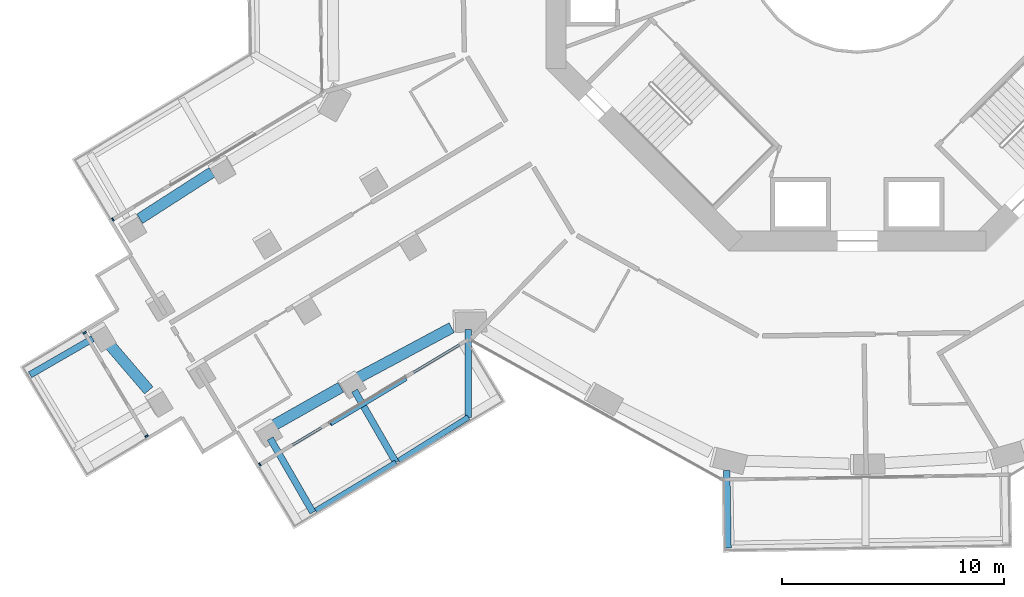
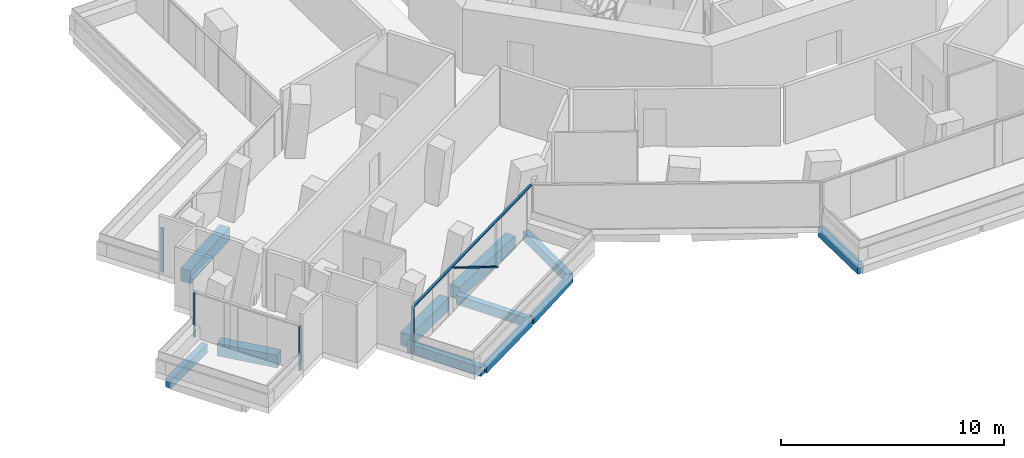
# One storey, part 2 of 25: 11 beams, 6 members, 3 elements without a shape of their own.
"""IFC4 building model written with IfcOpenShell, lengths in metres."""

from ifc_helpers import new_model, si_unit, direction, frame, origin, origin_2d, place, context, subcontext, project, spatial, rectangle, extrude, material, layer, layer_set, material_profile, profile_set, type_object, element, aggregate, save


model = new_model("IFC4")

# Units and contexts
model_context = context("Model", 3, precision=1e-05, world=origin(), true_north=direction((0.0, 1.0)))
body_context = subcontext(model_context, "Body", "Model", "MODEL_VIEW")
ifc_project = project(units=[si_unit("LENGTHUNIT", "METRE"), si_unit("AREAUNIT", "SQUARE_METRE"), si_unit("VOLUMEUNIT", "CUBIC_METRE"), si_unit("PLANEANGLEUNIT", "RADIAN"), si_unit("MASSUNIT", "GRAM", prefix="KILO")], contexts=[model_context])

# Site, building, storey
site_placement = place(None, origin())
site = spatial("IfcSite", under=ifc_project, at=site_placement, CompositionType="ELEMENT")
building_placement = place(site_placement, origin())
building = spatial("IfcBuilding", under=site, at=building_placement, Name="Verdalira Terraces Hotel", CompositionType="ELEMENT")
storey_placement = place(building_placement, frame((0.0, 0.0, 39.0)))
storey = spatial("IfcBuildingStorey", under=building, at=storey_placement, Name="L07", CompositionType="ELEMENT", Elevation=39.0)

# Beams
ifc_material_1 = material(Name="Concrete C40", Category="concrete")
ifc_material_profile_1 = material_profile(ifc_material_1, rectangle(XDim=0.300049, YDim=0.5, at=origin_2d()), Name="RC 300X500")
ifc_profile_set_1 = profile_set([ifc_material_profile_1], Name="Concrete C40")
beam_type_1 = type_object("IfcBeamType", Name="Balcony cantilever beam RC 300X500 C40", PredefinedType="BEAM", material=ifc_profile_set_1)
beam_1_placement = place(storey_placement, frame((-34.388184, -17.951904, -0.560059), z_axis=(-0.86604931, -0.499958592, 0.0), x_axis=(0.499958592, -0.86604931, 0.0)))
element("IfcBeam", 1, at=beam_1_placement, inside=storey, type_object=beam_type_1, Name="Balcony cantilever beam R19-1", PredefinedType="BEAM", context=body_context, shape_type="SweptSolid", body=[
    extrude(rectangle(XDim=0.300049, YDim=0.5, at=origin_2d()), origin(), (0.0, 0.0, 1.0), 3.251709),
])
beam_2_placement = place(storey_placement, frame((-26.403809, -22.445312, -0.560059), z_axis=(0.500019929, -0.866013898, 0.0), x_axis=(0.866013898, 0.500019929, 0.0)))
element("IfcBeam", 2, at=beam_2_placement, inside=storey, type_object=beam_type_1, Name="Balcony cantilever beam R24-1", PredefinedType="BEAM", context=body_context, shape_type="SweptSolid", body=[
    extrude(rectangle(XDim=0.300049, YDim=0.5, at=origin_2d()), origin(), (0.0, 0.0, 1.0), 3.836182),
])
beam_3_placement = place(storey_placement, frame((-22.611816, -20.29248, -0.560059), z_axis=(0.499981083, -0.866036325, 0.0), x_axis=(0.866036325, 0.499981083, 0.0)))
element("IfcBeam", 3, at=beam_3_placement, inside=storey, type_object=beam_type_1, Name="Balcony cantilever beam R24-2", PredefinedType="BEAM", context=body_context, shape_type="SweptSolid", body=[
    extrude(rectangle(XDim=0.300049, YDim=0.5, at=origin_2d()), origin(), (0.0, 0.0, 1.0), 3.731689),
])
beam_4_placement = place(storey_placement, frame((-17.491699, -17.53833, -0.560059), z_axis=(0.0, -1.0, 0.0), x_axis=(1.0, 0.0, 0.0)))
element("IfcBeam", 4, at=beam_4_placement, inside=storey, type_object=beam_type_1, Name="Balcony cantilever beam R24-3", PredefinedType="BEAM", context=body_context, shape_type="SweptSolid", body=[
    extrude(rectangle(XDim=0.300049, YDim=0.5, at=origin_2d()), origin(), (0.0, 0.0, 1.0), 3.949951),
])
beam_5_placement = place(storey_placement, frame((-5.875488, -23.891602, -0.560059), z_axis=(0.016752313, -0.99985967, 0.0), x_axis=(0.99985967, 0.016752313, 0.0)))
element("IfcBeam", 5, at=beam_5_placement, inside=storey, type_object=beam_type_1, Name="Balcony cantilever beam R26-1", PredefinedType="BEAM", context=body_context, shape_type="SweptSolid", body=[
    extrude(rectangle(XDim=0.300049, YDim=0.5, at=origin_2d()), origin(), (0.0, 0.0, 1.0), 3.468506),
])
ifc_material_2 = material(Name="Concrete C40", Category="concrete")
ifc_material_profile_2 = material_profile(ifc_material_2, rectangle(XDim=0.25, YDim=0.449951, at=origin_2d()), Name="RC 250X450")
ifc_profile_set_2 = profile_set([ifc_material_profile_2], Name="Concrete C40")
beam_type_2 = type_object("IfcBeamType", Name="Balcony edge beam RC 250X450 C40", PredefinedType="BEAM", material=ifc_profile_set_2)
beam_6_placement = place(storey_placement, frame((-24.356934, -25.69043, -0.534912), z_axis=(0.857518504, 0.514453123, 0.0), x_axis=(-0.514453123, 0.857518504, 0.0)))
element("IfcBeam", 6, at=beam_6_placement, inside=storey, type_object=beam_type_2, Name="Balcony edge beam R24-1", PredefinedType="BEAM", context=body_context, shape_type="SweptSolid", body=[
    extrude(rectangle(XDim=0.25, YDim=0.449951, at=origin_2d()), origin(), (0.0, 0.0, 1.0), 4.210693),
])
beam_7_placement = place(storey_placement, frame((-20.618896, -23.44458, -0.534912), z_axis=(0.84777885, 0.530349904, 0.0), x_axis=(-0.530349904, 0.84777885, 0.0)))
element("IfcBeam", 7, at=beam_7_placement, inside=storey, type_object=beam_type_2, Name="Balcony edge beam R24-2", PredefinedType="BEAM", context=body_context, shape_type="SweptSolid", body=[
    extrude(rectangle(XDim=0.25, YDim=0.449951, at=origin_2d()), origin(), (0.0, 0.0, 1.0), 3.688721),
])

# Curtain wall, member
ifc_material_3 = material(Name="Clear glass", Category="glass")
ifc_layer_1 = layer(ifc_material_3, 0.14990234375)
ifc_layer_set_1 = layer_set([ifc_layer_1], Name="CW2 curtain wall")
curtain_wall_type_1 = type_object("IfcCurtainWallType", Name="CW2 curtain wall", PredefinedType="NOTDEFINED", material=ifc_layer_set_1)
curtain_wall_1_placement = place(storey_placement, origin())
curtain_wall_1 = element("IfcCurtainWall", 8, at=curtain_wall_1_placement, inside=storey, type_object=curtain_wall_type_1, Name="CW2 curtain wall L07 edge 14", PredefinedType="NOTDEFINED")
ifc_material_4 = material(Name="Terracotta frame", Category="masonry")
ifc_material_profile_3 = material_profile(ifc_material_4, rectangle(XDim=0.070068, YDim=0.149902, at=origin_2d()), Name="MU 70x150")
ifc_profile_set_3 = profile_set([ifc_material_profile_3], Name="Terracotta frame")
member_type_1 = type_object("IfcMemberType", Name="CW2 mullion 70x150", PredefinedType="MULLION", material=ifc_profile_set_3)
member_1_placement = place(storey_placement, frame((-33.481934, -12.59375, 0.0), z_axis=(0.0, 0.0, 1.0), x_axis=(-0.857526656, -0.514439534, 0.0)))
member_1 = element("IfcMember", 9, at=member_1_placement, type_object=member_type_1, Name="CW2 mullion", PredefinedType="MULLION", context=body_context, shape_type="SweptSolid", body=[
    extrude(rectangle(XDim=0.070068, YDim=0.149902, at=origin_2d()), origin(), (0.0, 0.0, 1.0), 2.425049),
])
aggregate(curtain_wall_1, [member_1])

# Curtain wall, members
curtain_wall_2_placement = place(storey_placement, origin())
curtain_wall_2 = element("IfcCurtainWall", 10, at=curtain_wall_2_placement, inside=storey, type_object=curtain_wall_type_1, Name="CW2 curtain wall L07 edge 24", PredefinedType="NOTDEFINED")
member_2_placement = place(storey_placement, frame((-26.871338, -23.612793, 0.0), z_axis=(0.0, 0.0, 1.0), x_axis=(0.857526656, 0.514439534, 0.0)))
member_2 = element("IfcMember", 11, at=member_2_placement, type_object=member_type_1, Name="CW2 mullion", PredefinedType="MULLION", context=body_context, shape_type="SweptSolid", body=[
    extrude(rectangle(XDim=0.070068, YDim=0.149902, at=origin_2d()), origin(), (0.0, 0.0, 1.0), 2.425049),
])
ifc_material_5 = material(Name="Terracotta frame", Category="masonry")
ifc_material_profile_4 = material_profile(ifc_material_5, rectangle(XDim=0.11499, YDim=0.064941, at=origin_2d()), Name="TR 65x115")
ifc_profile_set_4 = profile_set([ifc_material_profile_4], Name="Terracotta frame")
member_type_2 = type_object("IfcMemberType", Name="CW2 transom 65x115", PredefinedType="USERDEFINED", material=ifc_profile_set_4)
member_3_placement = place(storey_placement, frame((-26.901367, -23.630859, 2.45752), z_axis=(0.85752828, 0.514436827, 0.0), x_axis=(-0.514436827, 0.85752828, 0.0)))
member_3 = element("IfcMember", 12, at=member_3_placement, type_object=member_type_2, Name="CW2 transom", ObjectType="TRANSOM", PredefinedType="USERDEFINED", context=body_context, shape_type="SweptSolid", body=[
    extrude(rectangle(XDim=0.11499, YDim=0.064941, at=origin_2d()), origin(), (0.0, 0.0, 1.0), 10.967041),
])

ifc_material_6 = material(Name="Clear glass", Category="glass")
ifc_layer_2 = layer(ifc_material_6, 0.14990234375)
ifc_layer_set_2 = layer_set([ifc_layer_2], Name="CW3 curtain wall")
curtain_wall_type_2 = type_object("IfcCurtainWallType", Name="CW3 curtain wall", PredefinedType="NOTDEFINED", material=ifc_layer_set_2)
curtain_wall_3_placement = place(storey_placement, origin())
curtain_wall_3 = element("IfcCurtainWall", 13, at=curtain_wall_3_placement, inside=storey, type_object=curtain_wall_type_2, Name="CW3 curtain wall L07 edge 19", PredefinedType="NOTDEFINED")
ifc_material_7 = material(Name="Terracotta frame", Category="masonry")
ifc_material_profile_5 = material_profile(ifc_material_7, rectangle(XDim=0.080078, YDim=0.149902, at=origin_2d()), Name="MU 80x150")
ifc_profile_set_5 = profile_set([ifc_material_profile_5], Name="Terracotta frame")
member_type_3 = type_object("IfcMemberType", Name="CW3 mullion 80x150", PredefinedType="MULLION", material=ifc_profile_set_5)
member_4_placement = place(storey_placement, frame((-34.752197, -17.687988, 0.0), z_axis=(0.0, 0.0, 1.0), x_axis=(0.514439534, -0.857526656, 0.0)))
member_4 = element("IfcMember", 14, at=member_4_placement, type_object=member_type_3, Name="CW3 mullion", PredefinedType="MULLION", context=body_context, shape_type="SweptSolid", body=[
    extrude(rectangle(XDim=0.080078, YDim=0.149902, at=origin_2d()), origin(), (0.0, 0.0, 1.0), 2.425049),
])
member_5_placement = place(storey_placement, frame((-31.963867, -22.335693, 0.0), z_axis=(0.0, 0.0, 1.0), x_axis=(0.514439534, -0.857526656, 0.0)))
member_5 = element("IfcMember", 15, at=member_5_placement, type_object=member_type_3, Name="CW3 mullion", PredefinedType="MULLION", context=body_context, shape_type="SweptSolid", body=[
    extrude(rectangle(XDim=0.080078, YDim=0.149902, at=origin_2d()), origin(), (0.0, 0.0, 1.0), 2.425049),
])
aggregate(curtain_wall_3, [member_4, member_5])

# Member
ifc_material_8 = material(Name="Terracotta frame", Category="masonry")
ifc_material_profile_6 = material_profile(ifc_material_8, rectangle(XDim=0.149902, YDim=0.060059, at=origin_2d()), Name="GB 60x150")
ifc_profile_set_6 = profile_set([ifc_material_profile_6], Name="Terracotta frame")
member_type_4 = type_object("IfcMemberType", Name="Diagonal glazing bar 60x150", PredefinedType="USERDEFINED", material=ifc_profile_set_6)
member_6_placement = place(storey_placement, frame((-23.683838, -21.806885, 2.398193), z_axis=(0.735439191, 0.441231748, -0.514240937), x_axis=(-0.514468521, 0.857509266, 0.0)))
member_6 = element("IfcMember", 16, at=member_6_placement, type_object=member_type_4, Name="Diagonal glazing bar", ObjectType="GLAZING BAR", PredefinedType="USERDEFINED", context=body_context, shape_type="SweptSolid", body=[
    extrude(rectangle(XDim=0.149902, YDim=0.060059, at=origin_2d()), origin(), (0.0, 0.0, 1.0), 4.611328),
])

aggregate(curtain_wall_2, [member_2, member_3, member_6])

# Beams
ifc_material_9 = material(Name="Concrete C70", Category="concrete")
ifc_material_profile_7 = material_profile(ifc_material_9, rectangle(XDim=0.5, YDim=0.699951, at=origin_2d()), Name="RC 500X700")
ifc_profile_set_7 = profile_set([ifc_material_profile_7], Name="Concrete C70")
beam_type_3 = type_object("IfcBeamType", Name="Spandrel beam RC 500X700 C70", PredefinedType="SPANDREL", material=ifc_profile_set_7)
beam_8_placement = place(storey_placement, frame((-29.021729, -10.470459, -0.659912), z_axis=(-0.841118957, -0.540850164, 0.0), x_axis=(0.540850164, -0.841118957, 0.0)))
element("IfcBeam", 17, at=beam_8_placement, inside=storey, type_object=beam_type_3, Name="Spandrel beam B15", PredefinedType="SPANDREL", context=body_context, shape_type="SweptSolid", body=[
    extrude(rectangle(XDim=0.5, YDim=0.699951, at=origin_2d()), origin(), (0.0, 0.0, 1.0), 3.865234),
])
beam_9_placement = place(storey_placement, frame((-33.728516, -18.104492, -0.659912), z_axis=(0.650636945, -0.759388942, 0.0), x_axis=(0.759388942, 0.650636945, 0.0)))
element("IfcBeam", 18, at=beam_9_placement, inside=storey, type_object=beam_type_3, Name="Spandrel beam B16", PredefinedType="SPANDREL", context=body_context, shape_type="SweptSolid", body=[
    extrude(rectangle(XDim=0.5, YDim=0.699951, at=origin_2d()), origin(), (0.0, 0.0, 1.0), 2.864502),
])
beam_10_placement = place(storey_placement, frame((-26.236328, -21.845215, -0.659912), z_axis=(0.870167662, 0.492755762, 0.0), x_axis=(-0.492755762, 0.870167662, 0.0)))
element("IfcBeam", 19, at=beam_10_placement, inside=storey, type_object=beam_type_3, Name="Spandrel beam B17", PredefinedType="SPANDREL", context=body_context, shape_type="SweptSolid", body=[
    extrude(rectangle(XDim=0.5, YDim=0.699951, at=origin_2d()), origin(), (0.0, 0.0, 1.0), 3.454346),
])
beam_11_placement = place(storey_placement, frame((-22.428223, -19.701172, -0.659912), z_axis=(0.881517425, 0.47215149, 0.0), x_axis=(-0.47215149, 0.881517425, 0.0)))
element("IfcBeam", 20, at=beam_11_placement, inside=storey, type_object=beam_type_3, Name="Spandrel beam B18", PredefinedType="SPANDREL", context=body_context, shape_type="SweptSolid", body=[
    extrude(rectangle(XDim=0.5, YDim=0.699951, at=origin_2d()), origin(), (0.0, 0.0, 1.0), 4.747803),
])

save(model, "model.ifc")
